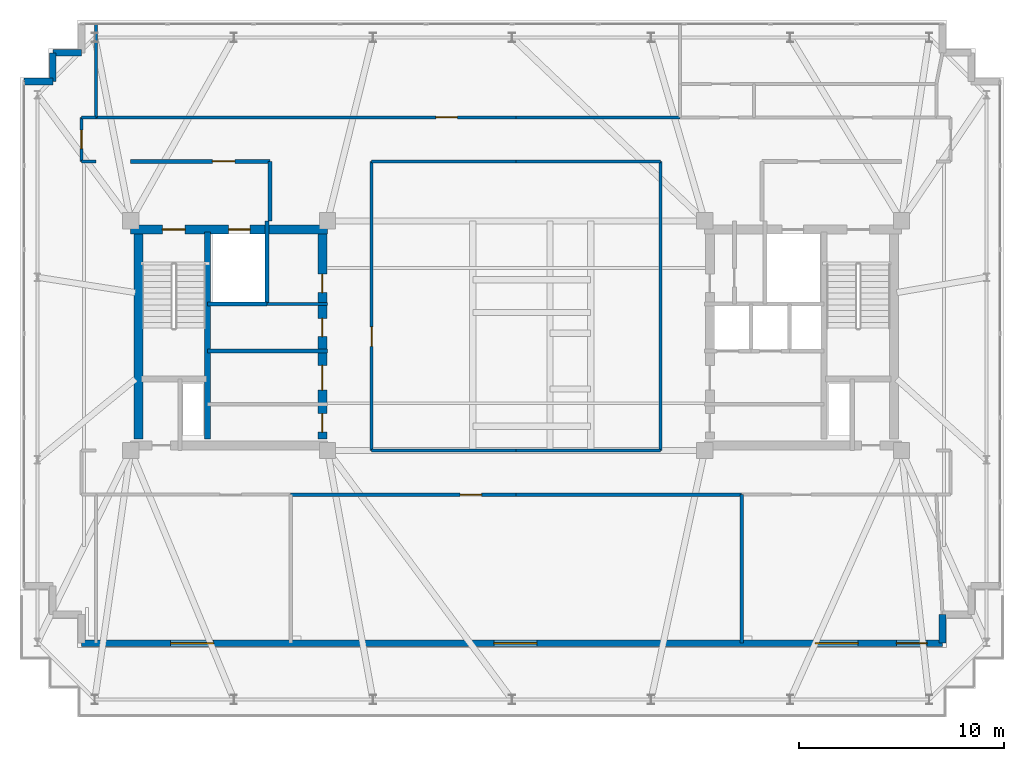
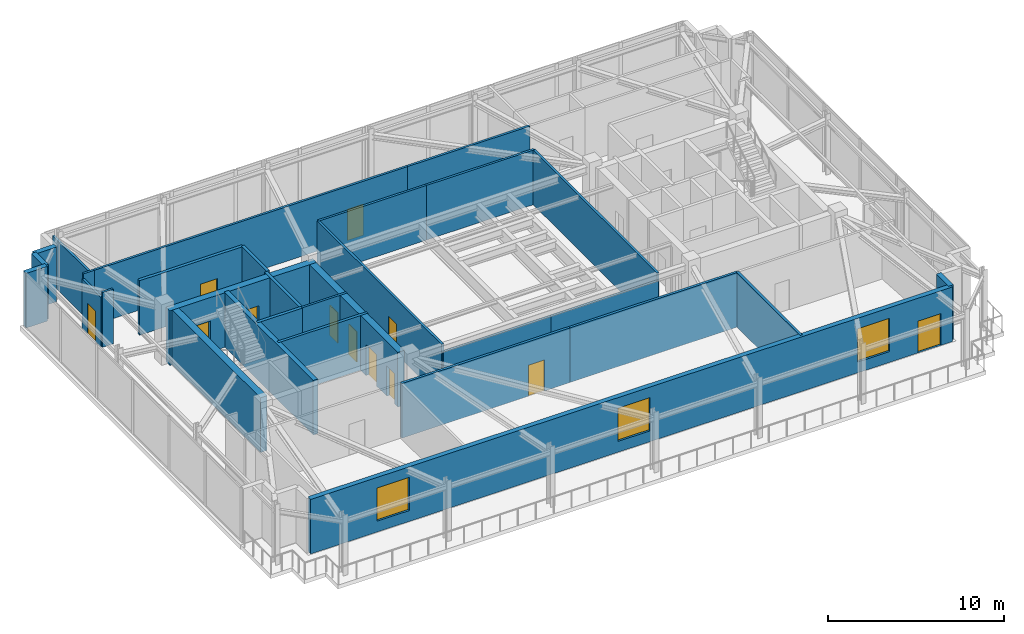
# One storey, part 19 of 24: 30 walls, 12 doors, 3 windows, 15 openings.
"""IFC4 building model written with IfcOpenShell, lengths in metres."""

from ifc_helpers import new_model, si_unit, direction, frame, frame_2d, origin, place, context, subcontext, project, spatial, rectangle, extrude, material, layer, layer_set, type_object, element, fill, save


model = new_model("IFC4")

# Units and contexts
model_context = context("Model", 3, precision=1e-05, world=origin(), true_north=direction((0.0, 1.0)))
body_context = subcontext(model_context, "Body", "Model", "MODEL_VIEW")
ifc_project = project(units=[si_unit("LENGTHUNIT", "METRE"), si_unit("AREAUNIT", "SQUARE_METRE"), si_unit("VOLUMEUNIT", "CUBIC_METRE"), si_unit("PLANEANGLEUNIT", "RADIAN"), si_unit("MASSUNIT", "GRAM", prefix="KILO")], contexts=[model_context])

# Site, building, storey
site_placement = place(None, origin())
site = spatial("IfcSite", under=ifc_project, at=site_placement, CompositionType="ELEMENT")
building_placement = place(site_placement, origin())
building = spatial("IfcBuilding", under=site, at=building_placement, Name="Qobustan Lattice House", CompositionType="ELEMENT")
storey_placement = place(building_placement, frame((0.0, 0.0, 261.800048828125)))
storey = spatial("IfcBuildingStorey", under=building, at=storey_placement, Name="L74", CompositionType="ELEMENT", Elevation=261.800048828125)

# Wall, openings, doors
ifc_material_1 = material(Name="Concrete C50/60", Category="concrete")
ifc_layer_1 = layer(ifc_material_1, 0.43994140625)
ifc_layer_set_1 = layer_set([ifc_layer_1], Name="Concrete C50/60")
wall_type_1 = type_object("IfcWallType", Name="WAL-CORE-440", PredefinedType="SHEAR", material=ifc_layer_set_1)
wall_1_placement = place(storey_placement, frame((-18.800048828125, 5.179931640625, 0.0), z_axis=(0.0, 0.0, 1.0), x_axis=(1.0, 0.0, 0.0)))
wall_1 = element("IfcWall", 1, at=wall_1_placement, inside=storey, type_object=wall_type_1, Name="L74 split-core shear wall CW-N", PredefinedType="SHEAR", context=body_context, shape_type="SweptSolid", body=[
    extrude(rectangle(XDim=9.60009765625, YDim=0.43994140625, at=frame_2d((4.800048828125, 0.0))), origin(), (0.0, 0.0, 1.0), 3.780029296875),
])
opening_1_placement = place(wall_1_placement, frame((1.550048828125, 0.0, 0.0)))
opening_1 = element("IfcOpeningElement", 2, at=opening_1_placement, cuts=wall_1, Name="Opening SD-01", PredefinedType="OPENING", context=body_context, shape_type="SweptSolid", body=[
    extrude(rectangle(XDim=1.10009765625, YDim=2.14990234375, at=frame_2d((0.550048828125, 1.074951171875))), frame((0.0, 0.22998046875, 0.0), z_axis=(0.0, -1.0, 0.0), x_axis=(1.0, 0.0, 0.0)), (0.0, 0.0, 1.0), 0.4599609375),
])
opening_2_placement = place(wall_1_placement, frame((4.77490234375, 0.0, 0.0)))
opening_2 = element("IfcOpeningElement", 3, at=opening_2_placement, cuts=wall_1, Name="Opening LD-01", PredefinedType="OPENING", context=body_context, shape_type="SweptSolid", body=[
    extrude(rectangle(XDim=1.050048828125, YDim=2.10009765625, at=frame_2d((0.52490234375, 1.050048828125))), frame((0.0, 0.22998046875, 0.0), z_axis=(0.0, -1.0, 0.0), x_axis=(1.0, 0.0, 0.0)), (0.0, 0.0, 1.0), 0.4599609375),
])
ifc_material_2 = material(Name="Persian walnut timber and steel frame door", Category="steel")
door_type_1 = type_object("IfcDoorType", Name="DOR-LIFT-LD-1050x2100", OperationType="NOTDEFINED", PredefinedType="DOOR", material=ifc_material_2)
door_1_placement = place(opening_2_placement, origin())
door_1 = element("IfcDoor", 4, at=door_1_placement, inside=storey, type_object=door_type_1, Name="L74 firefighting lift FF-W landing door", OperationType="DOUBLE_DOOR_SLIDING", OverallHeight=2.10009765625, OverallWidth=1.050048828125, PredefinedType="DOOR", context=body_context, shape_type="SweptSolid", body=[
    extrude(rectangle(XDim=1.050048828125, YDim=2.10009765625, at=frame_2d((0.52490234375, 1.050048828125))), frame((0.0, 0.02490234375, 0.0), z_axis=(0.0, -1.0, 0.0), x_axis=(1.0, 0.0, 0.0)), (0.0, 0.0, 1.0), 0.050048828125),
])
fill(opening_2, door_1)
ifc_material_3 = material(Name="Persian walnut timber and steel frame door", Category="steel")
door_type_2 = type_object("IfcDoorType", Name="DOR-STAIR-FD-1100x2150", OperationType="NOTDEFINED", PredefinedType="DOOR", material=ifc_material_3)
door_2_placement = place(opening_1_placement, origin())
door_2 = element("IfcDoor", 5, at=door_2_placement, inside=storey, type_object=door_type_2, Name="L74 exit stair ST-W1 fire door", OperationType="SINGLE_SWING_LEFT", OverallHeight=2.14990234375, OverallWidth=1.10009765625, PredefinedType="DOOR", context=body_context, shape_type="SweptSolid", body=[
    extrude(rectangle(XDim=1.10009765625, YDim=2.14990234375, at=frame_2d((0.550048828125, 1.074951171875))), frame((0.0, 0.02490234375, 0.0), z_axis=(0.0, -1.0, 0.0), x_axis=(1.0, 0.0, 0.0)), (0.0, 0.0, 1.0), 0.050048828125),
])
fill(opening_1, door_2)

# Wall
wall_2_placement = place(storey_placement, frame((-18.429931640625, -5.050048828125, 0.0), z_axis=(0.0, 0.0, 1.0), x_axis=(0.0, 1.0, 0.0)))
element("IfcWall", 6, at=wall_2_placement, inside=storey, type_object=wall_type_1, Name="L74 split-core shear wall CW-W", PredefinedType="SHEAR", context=body_context, shape_type="SweptSolid", body=[
    extrude(rectangle(XDim=10.10009765625, YDim=0.43994140625, at=frame_2d((5.050048828125, 0.0))), origin(), (0.0, 0.0, 1.0), 3.780029296875),
])

# Wall, openings, doors
wall_3_placement = place(storey_placement, frame((-9.449951171875, -5.050048828125, 0.0), z_axis=(0.0, 0.0, 1.0), x_axis=(0.0, 1.0, 0.0)))
wall_3 = element("IfcWall", 7, at=wall_3_placement, inside=storey, type_object=wall_type_1, Name="L74 split-core shear wall CW-E", PredefinedType="SHEAR", context=body_context, shape_type="SweptSolid", body=[
    extrude(rectangle(XDim=10.10009765625, YDim=0.43994140625, at=frame_2d((5.050048828125, 0.0))), origin(), (0.0, 0.0, 1.0), 3.780029296875),
])
opening_3_placement = place(wall_3_placement, frame((7.14990234375, 0.0, 0.0)))
opening_3 = element("IfcOpeningElement", 8, at=opening_3_placement, cuts=wall_3, Name="Opening RD-01", PredefinedType="OPENING", context=body_context, shape_type="SweptSolid", body=[
    extrude(rectangle(XDim=0.89990234375, YDim=2.10009765625, at=frame_2d((0.449951171875, 1.050048828125))), frame((0.0, 0.22998046875, 0.0), z_axis=(0.0, -1.0, 0.0), x_axis=(1.0, 0.0, 0.0)), (0.0, 0.0, 1.0), 0.4599609375),
])
opening_4_placement = place(wall_3_placement, frame((2.39990234375, 0.0, 0.0)))
opening_4 = element("IfcOpeningElement", 9, at=opening_4_placement, cuts=wall_3, Name="Opening FD-01", PredefinedType="OPENING", context=body_context, shape_type="SweptSolid", body=[
    extrude(rectangle(XDim=1.199951171875, YDim=2.14990234375, at=frame_2d((0.60009765625, 1.074951171875))), frame((0.0, 0.22998046875, 0.0), z_axis=(0.0, -1.0, 0.0), x_axis=(1.0, 0.0, 0.0)), (0.0, 0.0, 1.0), 0.4599609375),
])
opening_5_placement = place(wall_3_placement, frame((0.35009765625, 0.0, 0.0)))
opening_5 = element("IfcOpeningElement", 10, at=opening_5_placement, cuts=wall_3, Name="Opening RD-01", PredefinedType="OPENING", context=body_context, shape_type="SweptSolid", body=[
    extrude(rectangle(XDim=0.89990234375, YDim=2.10009765625, at=frame_2d((0.449951171875, 1.050048828125))), frame((0.0, 0.22998046875, 0.0), z_axis=(0.0, -1.0, 0.0), x_axis=(1.0, 0.0, 0.0)), (0.0, 0.0, 1.0), 0.4599609375),
])
opening_6_placement = place(wall_3_placement, frame((5.0, 0.0, 0.0)))
opening_6 = element("IfcOpeningElement", 11, at=opening_6_placement, cuts=wall_3, Name="Opening RD-01", PredefinedType="OPENING", context=body_context, shape_type="SweptSolid", body=[
    extrude(rectangle(XDim=0.89990234375, YDim=2.10009765625, at=frame_2d((0.449951171875, 1.050048828125))), frame((0.0, 0.22998046875, 0.0), z_axis=(0.0, -1.0, 0.0), x_axis=(1.0, 0.0, 0.0)), (0.0, 0.0, 1.0), 0.4599609375),
])
ifc_material_4 = material(Name="Persian walnut timber and steel frame door", Category="steel")
door_type_3 = type_object("IfcDoorType", Name="DOR-LOBBY-FD-1200x2150", OperationType="NOTDEFINED", PredefinedType="DOOR", material=ifc_material_4)
door_3_placement = place(opening_4_placement, origin())
door_3 = element("IfcDoor", 12, at=door_3_placement, inside=storey, type_object=door_type_3, Name="L74 West core foyer fire door", OperationType="SINGLE_SWING_LEFT", OverallHeight=2.14990234375, OverallWidth=1.199951171875, PredefinedType="DOOR", context=body_context, shape_type="SweptSolid", body=[
    extrude(rectangle(XDim=1.199951171875, YDim=2.14990234375, at=frame_2d((0.60009765625, 1.074951171875))), frame((0.0, 0.02490234375, 0.0), z_axis=(0.0, -1.0, 0.0), x_axis=(1.0, 0.0, 0.0)), (0.0, 0.0, 1.0), 0.050048828125),
])
fill(opening_4, door_3)
ifc_material_5 = material(Name="Persian walnut timber and steel frame door", Category="steel")
door_type_4 = type_object("IfcDoorType", Name="DOR-RISER-FD-900x2100", OperationType="NOTDEFINED", PredefinedType="DOOR", material=ifc_material_5)
door_4_placement = place(opening_3_placement, origin())
door_4 = element("IfcDoor", 13, at=door_4_placement, inside=storey, type_object=door_type_4, Name="L74 Floor tea pantry fire door", OperationType="SINGLE_SWING_RIGHT", OverallHeight=2.10009765625, OverallWidth=0.89990234375, PredefinedType="DOOR", context=body_context, shape_type="SweptSolid", body=[
    extrude(rectangle(XDim=0.89990234375, YDim=2.10009765625, at=frame_2d((0.449951171875, 1.050048828125))), frame((0.0, 0.02490234375, 0.0), z_axis=(0.0, -1.0, 0.0), x_axis=(1.0, 0.0, 0.0)), (0.0, 0.0, 1.0), 0.050048828125),
])
fill(opening_3, door_4)
door_5_placement = place(opening_5_placement, origin())
door_5 = element("IfcDoor", 14, at=door_5_placement, inside=storey, type_object=door_type_4, Name="L74 Tutorial seminar salon fire door", OperationType="SINGLE_SWING_RIGHT", OverallHeight=2.10009765625, OverallWidth=0.89990234375, PredefinedType="DOOR", context=body_context, shape_type="SweptSolid", body=[
    extrude(rectangle(XDim=0.89990234375, YDim=2.10009765625, at=frame_2d((0.449951171875, 1.050048828125))), frame((0.0, 0.02490234375, 0.0), z_axis=(0.0, -1.0, 0.0), x_axis=(1.0, 0.0, 0.0)), (0.0, 0.0, 1.0), 0.050048828125),
])
fill(opening_5, door_5)
door_6_placement = place(opening_6_placement, origin())
door_6 = element("IfcDoor", 15, at=door_6_placement, inside=storey, type_object=door_type_4, Name="L74 Copy and tea hub fire door", OperationType="SINGLE_SWING_LEFT", OverallHeight=2.10009765625, OverallWidth=0.89990234375, PredefinedType="DOOR", context=body_context, shape_type="SweptSolid", body=[
    extrude(rectangle(XDim=0.89990234375, YDim=2.10009765625, at=frame_2d((0.449951171875, 1.050048828125))), frame((0.0, 0.02490234375, 0.0), z_axis=(0.0, -1.0, 0.0), x_axis=(1.0, 0.0, 0.0)), (0.0, 0.0, 1.0), 0.050048828125),
])
fill(opening_6, door_6)

# Walls
ifc_material_6 = material(Name="Concrete C50/60", Category="concrete")
ifc_layer_2 = layer(ifc_material_6, 0.280029296875)
ifc_layer_set_2 = layer_set([ifc_layer_2], Name="Concrete C50/60")
wall_type_2 = type_object("IfcWallType", Name="WAL-CORE-SPINE-280", PredefinedType="SHEAR", material=ifc_layer_set_2)
wall_4_placement = place(storey_placement, frame((-15.050048828125, -5.050048828125, 0.0), z_axis=(0.0, 0.0, 1.0), x_axis=(0.0, 1.0, 0.0)))
element("IfcWall", 16, at=wall_4_placement, inside=storey, type_object=wall_type_2, Name="L74 split-core shear wall CW-M", PredefinedType="SHEAR", context=body_context, shape_type="SweptSolid", body=[
    extrude(rectangle(XDim=10.10009765625, YDim=0.300048828125, at=frame_2d((5.050048828125, 0.0))), origin(), (0.0, 0.0, 1.0), 3.780029296875),
])
ifc_material_7 = material(Name="Precast concrete C40/50", Category="concrete")
ifc_layer_3 = layer(ifc_material_7, 0.320068359375)
ifc_layer_set_3 = layer_set([ifc_layer_3], Name="Precast concrete C40/50")
wall_type_3 = type_object("IfcWallType", Name="WAL-EXT-STONE-320", PredefinedType="SOLIDWALL", material=ifc_layer_set_3)
wall_5_placement = place(storey_placement, frame((-24.0, 12.39990234375, 0.0), z_axis=(0.0, 0.0, 1.0), x_axis=(1.0, 0.0, 0.0)))
element("IfcWall", 17, at=wall_5_placement, inside=storey, type_object=wall_type_3, Name="L74 exterior limestone-clad wall 6", PredefinedType="SOLIDWALL", context=body_context, shape_type="SweptSolid", body=[
    extrude(rectangle(XDim=1.39990234375, YDim=0.320068359375, at=frame_2d((0.699951171875, 0.0))), origin(), (0.0, 0.0, 1.0), 3.780029296875),
])
for number, where, z_axis, x_axis, name in (
    (18, (-22.60009765625, 12.39990234375, 0.0), (0.0, 0.0, 1.0), (0.0, 1.0, 0.0), "L74 exterior limestone-clad wall 7"),
    (19, (-22.60009765625, 13.800048828125, 0.0), (0.0, 0.0, 1.0), (1.0, 0.0, 0.0), "L74 exterior limestone-clad wall 8"),
):
    element("IfcWall", number, at=place(storey_placement, frame(where, z_axis=z_axis, x_axis=x_axis)), inside=storey, type_object=wall_type_3, Name=name, PredefinedType="SOLIDWALL", context=body_context, shape_type="SweptSolid", body=[
        extrude(rectangle(XDim=1.400146484375, YDim=0.320068359375, at=frame_2d((0.7001953125, 0.0))), origin(), (0.0, 0.0, 1.0), 3.780029296875),
    ])
wall_6_placement = place(storey_placement, frame((20.800048828125, -13.60009765625, 0.0), z_axis=(0.0, 0.0, 1.0), x_axis=(0.0, -1.0, 0.0)))
element("IfcWall", 20, at=wall_6_placement, inside=storey, type_object=wall_type_3, Name="L74 exterior limestone-clad wall 19", PredefinedType="SOLIDWALL", context=body_context, shape_type="SweptSolid", body=[
    extrude(rectangle(XDim=1.39990234375, YDim=0.320068359375, at=frame_2d((0.699951171875, 0.0))), origin(), (0.0, 0.0, 1.0), 3.780029296875),
])

# Wall, openings, door, windows
wall_7_placement = place(storey_placement, frame((20.800048828125, -15.0, 0.0), z_axis=(0.0, 0.0, 1.0), x_axis=(-1.0, 0.0, 0.0)))
wall_7 = element("IfcWall", 21, at=wall_7_placement, inside=storey, type_object=wall_type_3, Name="L74 exterior limestone-clad wall 20", PredefinedType="SOLIDWALL", context=body_context, shape_type="SweptSolid", body=[
    extrude(rectangle(XDim=42.0, YDim=0.320068359375, at=frame_2d((21.0, 0.0))), origin(), (0.0, 0.0, 1.0), 3.780029296875),
])
opening_7_placement = place(wall_7_placement, frame((0.75, 0.0, 0.0)))
opening_7 = element("IfcOpeningElement", 22, at=opening_7_placement, cuts=wall_7, Name="Opening TD-02", PredefinedType="OPENING", context=body_context, shape_type="SweptSolid", body=[
    extrude(rectangle(XDim=1.5, YDim=2.199951171875, at=frame_2d((0.75, 1.10009765625))), frame((0.0, 0.169921875, 0.0), z_axis=(0.0, -1.0, 0.0), x_axis=(1.0, 0.0, 0.0)), (0.0, 0.0, 1.0), 0.340087890625),
])
opening_8_placement = place(wall_7_placement, frame((4.110107421875, 0.0, 0.75)))
opening_8 = element("IfcOpeningElement", 23, at=opening_8_placement, cuts=wall_7, Name="Opening WN-11", PredefinedType="OPENING", context=body_context, shape_type="SweptSolid", body=[
    extrude(rectangle(XDim=2.10009765625, YDim=2.300048828125, at=frame_2d((1.050048828125, 1.14990234375))), frame((0.0, 0.169921875, 0.0), z_axis=(0.0, -1.0, 0.0), x_axis=(1.0, 0.0, 0.0)), (0.0, 0.0, 1.0), 0.340087890625),
])
opening_9_placement = place(wall_7_placement, frame((19.7900390625, 0.0, 0.75)))
opening_9 = element("IfcOpeningElement", 24, at=opening_9_placement, cuts=wall_7, Name="Opening WN-11", PredefinedType="OPENING", context=body_context, shape_type="SweptSolid", body=[
    extrude(rectangle(XDim=2.10009765625, YDim=2.300048828125, at=frame_2d((1.050048828125, 1.14990234375))), frame((0.0, 0.169921875, 0.0), z_axis=(0.0, -1.0, 0.0), x_axis=(1.0, 0.0, 0.0)), (0.0, 0.0, 1.0), 0.340087890625),
])
opening_10_placement = place(wall_7_placement, frame((35.550048828125, 0.0, 0.75)))
opening_10 = element("IfcOpeningElement", 25, at=opening_10_placement, cuts=wall_7, Name="Opening WN-11", PredefinedType="OPENING", context=body_context, shape_type="SweptSolid", body=[
    extrude(rectangle(XDim=2.10009765625, YDim=2.300048828125, at=frame_2d((1.050048828125, 1.14990234375))), frame((0.0, 0.169921875, 0.0), z_axis=(0.0, -1.0, 0.0), x_axis=(1.0, 0.0, 0.0)), (0.0, 0.0, 1.0), 0.340087890625),
])
ifc_material_8 = material(Name="Thermally broken anodised aluminium glazed door", Category="aluminium")
door_type_5 = type_object("IfcDoorType", Name="DOR-EXT-GARD-1500x2200", OperationType="NOTDEFINED", PredefinedType="DOOR", material=ifc_material_8)
door_7_placement = place(opening_7_placement, origin())
door_7 = element("IfcDoor", 26, at=door_7_placement, inside=storey, type_object=door_type_5, Name="L74 outdoor terrace access door", OperationType="SINGLE_SWING_LEFT", OverallHeight=2.199951171875, OverallWidth=1.5, PredefinedType="DOOR", context=body_context, shape_type="SweptSolid", body=[
    extrude(rectangle(XDim=1.5, YDim=2.199951171875, at=frame_2d((0.75, 1.10009765625))), frame((0.0, 0.02490234375, 0.0), z_axis=(0.0, -1.0, 0.0), x_axis=(1.0, 0.0, 0.0)), (0.0, 0.0, 1.0), 0.050048828125),
])
fill(opening_7, door_7)
ifc_material_9 = material(Name="Double-glazed low-E aluminium window", Category="aluminium")
window_type = type_object("IfcWindowType", Name="WIN-OBS-2100x2300", PartitioningType="SINGLE_PANEL", PredefinedType="WINDOW", material=ifc_material_9)
window_1_placement = place(opening_8_placement, origin())
window_1 = element("IfcWindow", 27, at=window_1_placement, inside=storey, type_object=window_type, Name="L74 Observation curator office window", OverallHeight=2.300048828125, OverallWidth=2.10009765625, PartitioningType="SINGLE_PANEL", PredefinedType="WINDOW", context=body_context, shape_type="SweptSolid", body=[
    extrude(rectangle(XDim=2.10009765625, YDim=2.300048828125, at=frame_2d((1.050048828125, 1.14990234375))), frame((0.0, 0.030029296875, 0.0), z_axis=(0.0, -1.0, 0.0), x_axis=(1.0, 0.0, 0.0)), (0.0, 0.0, 1.0), 0.06005859375),
])
fill(opening_8, window_1)
window_2_placement = place(opening_9_placement, origin())
window_2 = element("IfcWindow", 28, at=window_2_placement, inside=storey, type_object=window_type, Name="L74 Caspian panoramic observation gallery window", OverallHeight=2.300048828125, OverallWidth=2.10009765625, PartitioningType="SINGLE_PANEL", PredefinedType="WINDOW", context=body_context, shape_type="SweptSolid", body=[
    extrude(rectangle(XDim=2.10009765625, YDim=2.300048828125, at=frame_2d((1.050048828125, 1.14990234375))), frame((0.0, 0.030029296875, 0.0), z_axis=(0.0, -1.0, 0.0), x_axis=(1.0, 0.0, 0.0)), (0.0, 0.0, 1.0), 0.06005859375),
])
fill(opening_9, window_2)
window_3_placement = place(opening_10_placement, origin())
window_3 = element("IfcWindow", 29, at=window_3_placement, inside=storey, type_object=window_type, Name="L74 South-west skyline study lounge window", OverallHeight=2.300048828125, OverallWidth=2.10009765625, PartitioningType="SINGLE_PANEL", PredefinedType="WINDOW", context=body_context, shape_type="SweptSolid", body=[
    extrude(rectangle(XDim=2.10009765625, YDim=2.300048828125, at=frame_2d((1.050048828125, 1.14990234375))), frame((0.0, 0.030029296875, 0.0), z_axis=(0.0, -1.0, 0.0), x_axis=(1.0, 0.0, 0.0)), (0.0, 0.0, 1.0), 0.06005859375),
])
fill(opening_10, window_3)

# Walls
ifc_material_10 = material(Name="Gypsum fireboard acoustic partition", Category="gypsum")
ifc_layer_4 = layer(ifc_material_10, 0.179931640625)
ifc_layer_set_4 = layer_set([ifc_layer_4], Name="Gypsum fireboard acoustic partition")
wall_type_4 = type_object("IfcWallType", Name="WAL-FIRE-180", PredefinedType="PARTITIONING", material=ifc_layer_set_4)
wall_8_placement = place(storey_placement, frame((-9.199951171875, -0.75, 0.0), z_axis=(0.0, 0.0, 1.0), x_axis=(-1.0, 0.0, 0.0)))
element("IfcWall", 30, at=wall_8_placement, inside=storey, type_object=wall_type_4, Name="L74 interior partition 8", PredefinedType="PARTITIONING", context=body_context, shape_type="SweptSolid", body=[
    extrude(rectangle(XDim=5.85009765625, YDim=0.179931640625, at=frame_2d((2.925048828125, 0.0))), origin(), (0.0, 0.0, 1.0), 3.780029296875),
])
ifc_material_11 = material(Name="Acoustic twin-stud gypsum partition", Category="gypsum")
ifc_layer_5 = layer(ifc_material_11, 0.14990234375)
ifc_layer_set_5 = layer_set([ifc_layer_5], Name="Acoustic twin-stud gypsum partition")
wall_type_5 = type_object("IfcWallType", Name="WAL-PART-150", PredefinedType="PARTITIONING", material=ifc_layer_set_5)
wall_9_placement = place(storey_placement, frame((-12.14990234375, 1.550048828125, 0.0), z_axis=(0.0, 0.0, 1.0), x_axis=(1.0, 0.0, 0.0)))
element("IfcWall", 31, at=wall_9_placement, inside=storey, type_object=wall_type_5, Name="L74 interior partition 5", PredefinedType="PARTITIONING", context=body_context, shape_type="SweptSolid", body=[
    extrude(rectangle(XDim=2.949951171875, YDim=0.14990234375, at=frame_2d((1.47509765625, 0.0))), origin(), (0.0, 0.0, 1.0), 3.780029296875),
])

# Wall, opening, door
wall_10_placement = place(storey_placement, frame((-21.199951171875, 8.5, 0.0), z_axis=(0.0, 0.0, 1.0), x_axis=(0.0, 1.0, 0.0)))
wall_10 = element("IfcWall", 32, at=wall_10_placement, inside=storey, type_object=wall_type_5, Name="L74 interior partition 26", PredefinedType="PARTITIONING", context=body_context, shape_type="SweptSolid", body=[
    extrude(rectangle(XDim=2.14990234375, YDim=0.14990234375, at=frame_2d((1.074951171875, 0.0))), origin(), (0.0, 0.0, 1.0), 3.43505859375),
])
opening_11_placement = place(wall_10_placement, frame((0.625, 0.0, 0.0)))
opening_11 = element("IfcOpeningElement", 33, at=opening_11_placement, cuts=wall_10, Name="Opening WD-01", PredefinedType="OPENING", context=body_context, shape_type="SweptSolid", body=[
    extrude(rectangle(XDim=0.89990234375, YDim=2.10009765625, at=frame_2d((0.449951171875, 1.050048828125))), frame((0.0, 0.0849609375, 0.0), z_axis=(0.0, -1.0, 0.0), x_axis=(1.0, 0.0, 0.0)), (0.0, 0.0, 1.0), 0.169921875),
])
ifc_material_12 = material(Name="Persian walnut timber and steel frame door", Category="steel")
door_type_6 = type_object("IfcDoorType", Name="DOR-WET-900x2100", OperationType="NOTDEFINED", PredefinedType="DOOR", material=ifc_material_12)
door_8_placement = place(opening_11_placement, origin())
door_8 = element("IfcDoor", 34, at=door_8_placement, inside=storey, type_object=door_type_6, Name="L74 North-west floor corridor to Absheron heritage reading room door", OperationType="SINGLE_SWING_LEFT", OverallHeight=2.10009765625, OverallWidth=0.89990234375, PredefinedType="DOOR", context=body_context, shape_type="SweptSolid", body=[
    extrude(rectangle(XDim=0.89990234375, YDim=2.10009765625, at=frame_2d((0.449951171875, 1.050048828125))), frame((0.0, 0.02490234375, 0.0), z_axis=(0.0, -1.0, 0.0), x_axis=(1.0, 0.0, 0.0)), (0.0, 0.0, 1.0), 0.050048828125),
])
fill(opening_11, door_8)

# Walls
for number, where, z_axis, x_axis, name in (
    (35, (-20.5, 8.5, 0.0), (0.0, 0.0, 1.0), (-1.0, 0.0, 0.0), "L74 interior partition 27"),
    (36, (-21.199951171875, 10.64990234375, 0.0), (0.0, 0.0, 1.0), (1.0, 0.0, 0.0), "L74 interior partition 28"),
):
    element("IfcWall", number, at=place(storey_placement, frame(where, z_axis=z_axis, x_axis=x_axis)), inside=storey, type_object=wall_type_5, Name=name, PredefinedType="PARTITIONING", context=body_context, shape_type="SweptSolid", body=[
        extrude(rectangle(XDim=0.699951171875, YDim=0.14990234375, at=frame_2d((0.35009765625, 0.0))), origin(), (0.0, 0.0, 1.0), 3.780029296875),
    ])

# Wall, opening, door
wall_11_placement = place(storey_placement, frame((-20.5, 10.64990234375, 0.0), z_axis=(0.0, 0.0, 1.0), x_axis=(1.0, 0.0, 0.0)))
wall_11 = element("IfcWall", 37, at=wall_11_placement, inside=storey, type_object=wall_type_5, Name="L74 interior partition 29", PredefinedType="PARTITIONING", context=body_context, shape_type="SweptSolid", body=[
    extrude(rectangle(XDim=20.5, YDim=0.14990234375, at=frame_2d((10.25, 0.0))), origin(), (0.0, 0.0, 1.0), 3.780029296875),
])
opening_12_placement = place(wall_11_placement, frame((16.583740234375, 0.0, 0.0)))
opening_12 = element("IfcOpeningElement", 38, at=opening_12_placement, cuts=wall_11, Name="Opening ID-02", PredefinedType="OPENING", context=body_context, shape_type="SweptSolid", body=[
    extrude(rectangle(XDim=1.050048828125, YDim=2.14990234375, at=frame_2d((0.52490234375, 1.074951171875))), frame((0.0, 0.0849609375, 0.0), z_axis=(0.0, -1.0, 0.0), x_axis=(1.0, 0.0, 0.0)), (0.0, 0.0, 1.0), 0.169921875),
])
ifc_material_13 = material(Name="Persian walnut timber and steel frame door", Category="steel")
door_type_7 = type_object("IfcDoorType", Name="DOR-STUDY-1050x2150", OperationType="NOTDEFINED", PredefinedType="DOOR", material=ifc_material_13)
door_9_placement = place(opening_12_placement, origin())
door_9 = element("IfcDoor", 39, at=door_9_placement, inside=storey, type_object=door_type_7, Name="L74 North-west floor corridor to North Baku quiet reading lounge door", OperationType="SINGLE_SWING_RIGHT", OverallHeight=2.14990234375, OverallWidth=1.050048828125, PredefinedType="DOOR", context=body_context, shape_type="SweptSolid", body=[
    extrude(rectangle(XDim=1.050048828125, YDim=2.14990234375, at=frame_2d((0.52490234375, 1.074951171875))), frame((0.0, 0.02490234375, 0.0), z_axis=(0.0, -1.0, 0.0), x_axis=(1.0, 0.0, 0.0)), (0.0, 0.0, 1.0), 0.050048828125),
])
fill(opening_12, door_9)

# Walls
wall_12_placement = place(storey_placement, frame((0.0, 8.5, 0.0), z_axis=(0.0, 0.0, 1.0), x_axis=(-1.0, 0.0, 0.0)))
element("IfcWall", 40, at=wall_12_placement, inside=storey, type_object=wall_type_5, Name="L74 interior partition 30", PredefinedType="PARTITIONING", context=body_context, shape_type="SweptSolid", body=[
    extrude(rectangle(XDim=7.050048828125, YDim=0.14990234375, at=frame_2d((3.52490234375, 0.0))), origin(), (0.0, 0.0, 1.0), 3.780029296875),
])
wall_13_placement = place(storey_placement, frame((0.0, 10.64990234375, 0.0), z_axis=(0.0, 0.0, 1.0), x_axis=(1.0, 0.0, 0.0)))
element("IfcWall", 41, at=wall_13_placement, inside=storey, type_object=wall_type_5, Name="L74 interior partition 34", PredefinedType="PARTITIONING", context=body_context, shape_type="SweptSolid", body=[
    extrude(rectangle(XDim=8.0, YDim=0.14990234375, at=frame_2d((4.0, 0.0))), origin(), (0.0, 0.0, 1.0), 3.780029296875),
])
wall_14_placement = place(storey_placement, frame((7.050048828125, 8.5, 0.0), z_axis=(0.0, 0.0, 1.0), x_axis=(-1.0, 0.0, 0.0)))
element("IfcWall", 42, at=wall_14_placement, inside=storey, type_object=wall_type_5, Name="L74 interior partition 37", PredefinedType="PARTITIONING", context=body_context, shape_type="SweptSolid", body=[
    extrude(rectangle(XDim=7.050048828125, YDim=0.14990234375, at=frame_2d((3.52490234375, 0.0))), origin(), (0.0, 0.0, 1.0), 3.780029296875),
])
for number, where, z_axis, x_axis, name in (
    (43, (-7.050048828125, -5.60009765625, 0.0), (0.0, 0.0, 1.0), (1.0, 0.0, 0.0), "L74 interior partition 43"),
    (44, (0.0, -5.60009765625, 0.0), (0.0, 0.0, 1.0), (1.0, 0.0, 0.0), "L74 interior partition 49"),
):
    element("IfcWall", number, at=place(storey_placement, frame(where, z_axis=z_axis, x_axis=x_axis)), inside=storey, type_object=wall_type_5, Name=name, PredefinedType="PARTITIONING", context=body_context, shape_type="SweptSolid", body=[
        extrude(rectangle(XDim=7.050048828125, YDim=0.14990234375, at=frame_2d((3.52490234375, 0.0))), origin(), (0.0, 0.0, 1.0), 3.264892578125),
    ])

# Wall, opening, door
wall_15_placement = place(storey_placement, frame((-7.050048828125, 8.5, 0.0), z_axis=(0.0, 0.0, 1.0), x_axis=(0.0, -1.0, 0.0)))
wall_15 = element("IfcWall", 45, at=wall_15_placement, inside=storey, type_object=wall_type_5, Name="L74 interior partition 50", PredefinedType="PARTITIONING", context=body_context, shape_type="SweptSolid", body=[
    extrude(rectangle(XDim=14.10009765625, YDim=0.14990234375, at=frame_2d((7.050048828125, 0.0))), origin(), (0.0, 0.0, 1.0), 3.780029296875),
])
opening_13_placement = place(wall_15_placement, frame((8.07373046875, 0.0, 0.0)))
opening_13 = element("IfcOpeningElement", 46, at=opening_13_placement, cuts=wall_15, Name="Opening ID-01", PredefinedType="OPENING", context=body_context, shape_type="SweptSolid", body=[
    extrude(rectangle(XDim=0.949951171875, YDim=2.10009765625, at=frame_2d((0.47509765625, 1.050048828125))), frame((0.0, 0.0849609375, 0.0), z_axis=(0.0, -1.0, 0.0), x_axis=(1.0, 0.0, 0.0)), (0.0, 0.0, 1.0), 0.169921875),
])
ifc_material_14 = material(Name="Persian walnut timber and steel frame door", Category="steel")
door_type_8 = type_object("IfcDoorType", Name="DOR-ROOM-950x2100", OperationType="NOTDEFINED", PredefinedType="DOOR", material=ifc_material_14)
door_10_placement = place(opening_13_placement, origin())
door_10 = element("IfcDoor", 47, at=door_10_placement, inside=storey, type_object=door_type_8, Name="L74 West floor link corridor to Observation orientation foyer door", OperationType="SINGLE_SWING_LEFT", OverallHeight=2.10009765625, OverallWidth=0.949951171875, PredefinedType="DOOR", context=body_context, shape_type="SweptSolid", body=[
    extrude(rectangle(XDim=0.949951171875, YDim=2.10009765625, at=frame_2d((0.47509765625, 1.050048828125))), frame((0.0, 0.02490234375, 0.0), z_axis=(0.0, -1.0, 0.0), x_axis=(1.0, 0.0, 0.0)), (0.0, 0.0, 1.0), 0.050048828125),
])
fill(opening_13, door_10)

# Walls
wall_16_placement = place(storey_placement, frame((7.050048828125, -5.60009765625, 0.0), z_axis=(0.0, 0.0, 1.0), x_axis=(0.0, 1.0, 0.0)))
element("IfcWall", 48, at=wall_16_placement, inside=storey, type_object=wall_type_5, Name="L74 interior partition 51", PredefinedType="PARTITIONING", context=body_context, shape_type="SweptSolid", body=[
    extrude(rectangle(XDim=14.10009765625, YDim=0.14990234375, at=frame_2d((7.050048828125, 0.0))), origin(), (0.0, 0.0, 1.0), 3.780029296875),
])
wall_17_placement = place(storey_placement, frame((-20.5, 15.199951171875, 0.0), z_axis=(0.0, 0.0, 1.0), x_axis=(0.0, -1.0, 0.0)))
element("IfcWall", 49, at=wall_17_placement, inside=storey, type_object=wall_type_5, Name="L74 interior partition 56", PredefinedType="PARTITIONING", context=body_context, shape_type="SweptSolid", body=[
    extrude(rectangle(XDim=4.550048828125, YDim=0.14990234375, at=frame_2d((2.27490234375, 0.0))), origin(), (0.0, 0.0, 1.0), 3.405029296875),
])

# Wall, opening, door
ifc_material_15 = material(Name="High-mass acoustic twin-stud partition", Category="gypsum")
ifc_layer_6 = layer(ifc_material_15, 0.1650390625)
ifc_layer_set_6 = layer_set([ifc_layer_6], Name="High-mass acoustic twin-stud partition")
wall_type_6 = type_object("IfcWallType", Name="WAL-PART-165", PredefinedType="PARTITIONING", material=ifc_layer_set_6)
wall_18_placement = place(storey_placement, frame((0.0, -7.75, 0.0), z_axis=(0.0, 0.0, 1.0), x_axis=(-1.0, 0.0, 0.0)))
wall_18 = element("IfcWall", 50, at=wall_18_placement, inside=storey, type_object=wall_type_6, Name="L74 interior partition 38", PredefinedType="PARTITIONING", context=body_context, shape_type="SweptSolid", body=[
    extrude(rectangle(XDim=11.0, YDim=0.1650390625, at=frame_2d((5.5, 0.0))), origin(), (0.0, 0.0, 1.0), 3.780029296875),
])
opening_14_placement = place(wall_18_placement, frame((1.6787109375, 0.0, 0.0)))
opening_14 = element("IfcOpeningElement", 51, at=opening_14_placement, cuts=wall_18, Name="Opening ID-02", PredefinedType="OPENING", context=body_context, shape_type="SweptSolid", body=[
    extrude(rectangle(XDim=1.050048828125, YDim=2.14990234375, at=frame_2d((0.52490234375, 1.074951171875))), frame((0.0, 0.092529296875, 0.0), z_axis=(0.0, -1.0, 0.0), x_axis=(1.0, 0.0, 0.0)), (0.0, 0.0, 1.0), 0.18505859375),
])
door_11_placement = place(opening_14_placement, origin())
door_11 = element("IfcDoor", 52, at=door_11_placement, inside=storey, type_object=door_type_7, Name="L74 South-west floor corridor to Caspian panoramic observation gallery door", OperationType="SINGLE_SWING_RIGHT", OverallHeight=2.14990234375, OverallWidth=1.050048828125, PredefinedType="DOOR", context=body_context, shape_type="SweptSolid", body=[
    extrude(rectangle(XDim=1.050048828125, YDim=2.14990234375, at=frame_2d((0.52490234375, 1.074951171875))), frame((0.0, 0.02490234375, 0.0), z_axis=(0.0, -1.0, 0.0), x_axis=(1.0, 0.0, 0.0)), (0.0, 0.0, 1.0), 0.050048828125),
])
fill(opening_14, door_11)

# Walls
wall_19_placement = place(storey_placement, frame((11.0, -7.75, 0.0), z_axis=(0.0, 0.0, 1.0), x_axis=(-1.0, 0.0, 0.0)))
element("IfcWall", 53, at=wall_19_placement, inside=storey, type_object=wall_type_6, Name="L74 interior partition 44", PredefinedType="PARTITIONING", context=body_context, shape_type="SweptSolid", body=[
    extrude(rectangle(XDim=11.0, YDim=0.1650390625, at=frame_2d((5.5, 0.0))), origin(), (0.0, 0.0, 1.0), 3.780029296875),
])
wall_20_placement = place(storey_placement, frame((11.0, -7.75, 0.0), z_axis=(0.0, 0.0, 1.0), x_axis=(0.0, -1.0, 0.0)))
element("IfcWall", 54, at=wall_20_placement, inside=storey, type_object=wall_type_6, Name="L74 interior partition 53", PredefinedType="PARTITIONING", context=body_context, shape_type="SweptSolid", body=[
    extrude(rectangle(XDim=7.25, YDim=0.1650390625, at=frame_2d((3.625, 0.0))), origin(), (0.0, 0.0, 1.0), 3.780029296875),
])

# Wall, opening, door
ifc_material_16 = material(Name="Two-hour gypsum fireboard acoustic partition", Category="gypsum")
ifc_layer_7 = layer(ifc_material_16, 0.199951171875)
ifc_layer_set_7 = layer_set([ifc_layer_7], Name="Two-hour gypsum fireboard acoustic partition")
wall_type_7 = type_object("IfcWallType", Name="WAL-PROT-200", PredefinedType="PARTITIONING", material=ifc_layer_set_7)
wall_21_placement = place(storey_placement, frame((-12.0, 8.5, 0.0), z_axis=(0.0, 0.0, 1.0), x_axis=(-1.0, 0.0, 0.0)))
wall_21 = element("IfcWall", 55, at=wall_21_placement, inside=storey, type_object=wall_type_7, Name="L74 interior partition 3", PredefinedType="PARTITIONING", context=body_context, shape_type="SweptSolid", body=[
    extrude(rectangle(XDim=6.800048828125, YDim=0.199951171875, at=frame_2d((3.39990234375, 0.0))), origin(), (0.0, 0.0, 1.0), 3.780029296875),
])
opening_15_placement = place(wall_21_placement, frame((1.715087890625, 0.0, 0.0)))
opening_15 = element("IfcOpeningElement", 56, at=opening_15_placement, cuts=wall_21, Name="Opening SD-01", PredefinedType="OPENING", context=body_context, shape_type="SweptSolid", body=[
    extrude(rectangle(XDim=1.10009765625, YDim=2.14990234375, at=frame_2d((0.550048828125, 1.074951171875))), frame((0.0, 0.10986328125, 0.0), z_axis=(0.0, -1.0, 0.0), x_axis=(1.0, 0.0, 0.0)), (0.0, 0.0, 1.0), 0.219970703125),
])
door_12_placement = place(opening_15_placement, origin())
door_12 = element("IfcDoor", 57, at=door_12_placement, inside=storey, type_object=door_type_2, Name="L74 West firefighting lift lobby to North-west floor corridor door", OperationType="SINGLE_SWING_LEFT", OverallHeight=2.14990234375, OverallWidth=1.10009765625, PredefinedType="DOOR", context=body_context, shape_type="SweptSolid", body=[
    extrude(rectangle(XDim=1.10009765625, YDim=2.14990234375, at=frame_2d((0.550048828125, 1.074951171875))), frame((0.0, 0.02490234375, 0.0), z_axis=(0.0, -1.0, 0.0), x_axis=(1.0, 0.0, 0.0)), (0.0, 0.0, 1.0), 0.050048828125),
])
fill(opening_15, door_12)

# Walls
wall_22_placement = place(storey_placement, frame((-12.0, 5.60009765625, 0.0), z_axis=(0.0, 0.0, 1.0), x_axis=(0.0, 1.0, 0.0)))
element("IfcWall", 58, at=wall_22_placement, inside=storey, type_object=wall_type_7, Name="L74 interior partition 4", PredefinedType="PARTITIONING", context=body_context, shape_type="SweptSolid", body=[
    extrude(rectangle(XDim=2.89990234375, YDim=0.199951171875, at=frame_2d((1.449951171875, 0.0))), origin(), (0.0, 0.0, 1.0), 3.780029296875),
])
ifc_material_17 = material(Name="Concrete C40/50", Category="concrete")
ifc_layer_8 = layer(ifc_material_17, 0.199951171875)
ifc_layer_set_8 = layer_set([ifc_layer_8], Name="Concrete C40/50")
wall_type_8 = type_object("IfcWallType", Name="WAL-SHAFT-200", PredefinedType="PARTITIONING", material=ifc_layer_set_8)
wall_23_placement = place(storey_placement, frame((-12.14990234375, 1.550048828125, 0.0), z_axis=(0.0, 0.0, 1.0), x_axis=(0.0, 1.0, 0.0)))
element("IfcWall", 59, at=wall_23_placement, inside=storey, type_object=wall_type_8, Name="L74 interior partition 2", PredefinedType="PARTITIONING", context=body_context, shape_type="SweptSolid", body=[
    extrude(rectangle(XDim=4.050048828125, YDim=0.199951171875, at=frame_2d((2.02490234375, 0.0))), origin(), (0.0, 0.0, 1.0), 3.780029296875),
])
wall_24_placement = place(storey_placement, frame((-15.050048828125, 1.550048828125, 0.0), z_axis=(0.0, 0.0, 1.0), x_axis=(1.0, 0.0, 0.0)))
element("IfcWall", 60, at=wall_24_placement, inside=storey, type_object=wall_type_8, Name="L74 interior partition 64", PredefinedType="PARTITIONING", context=body_context, shape_type="SweptSolid", body=[
    extrude(rectangle(XDim=2.900146484375, YDim=0.199951171875, at=frame_2d((1.4501953125, 0.0))), origin(), (0.0, 0.0, 1.0), 3.780029296875),
])

save(model, "model.ifc")
